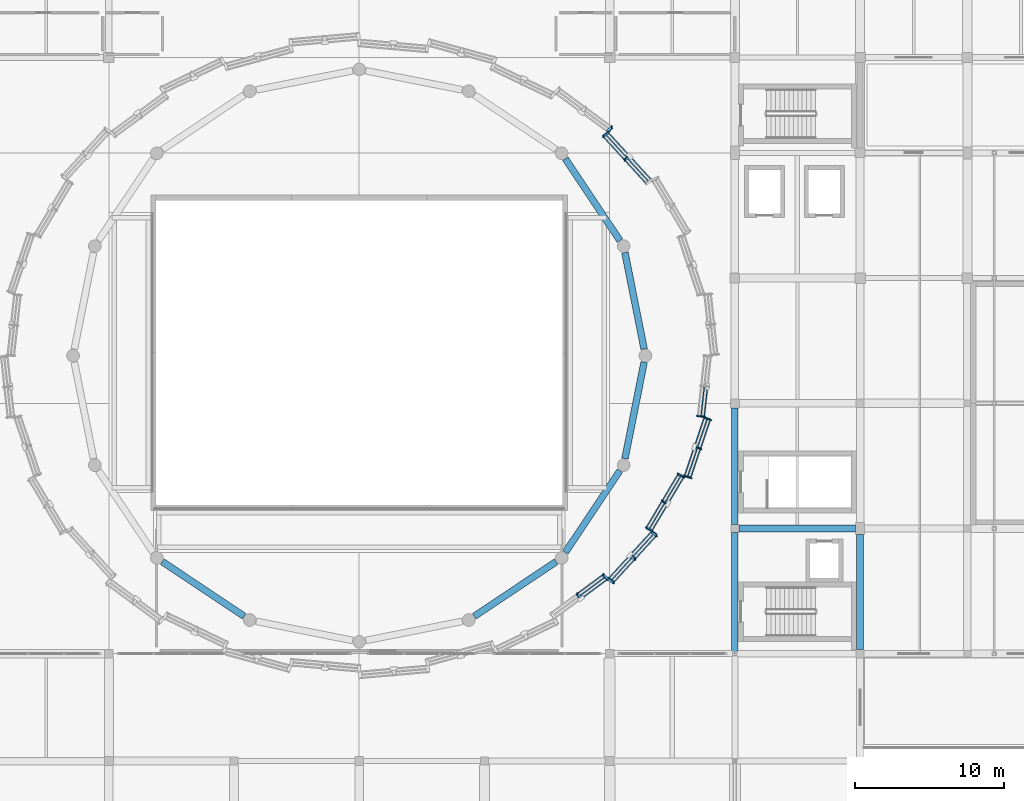
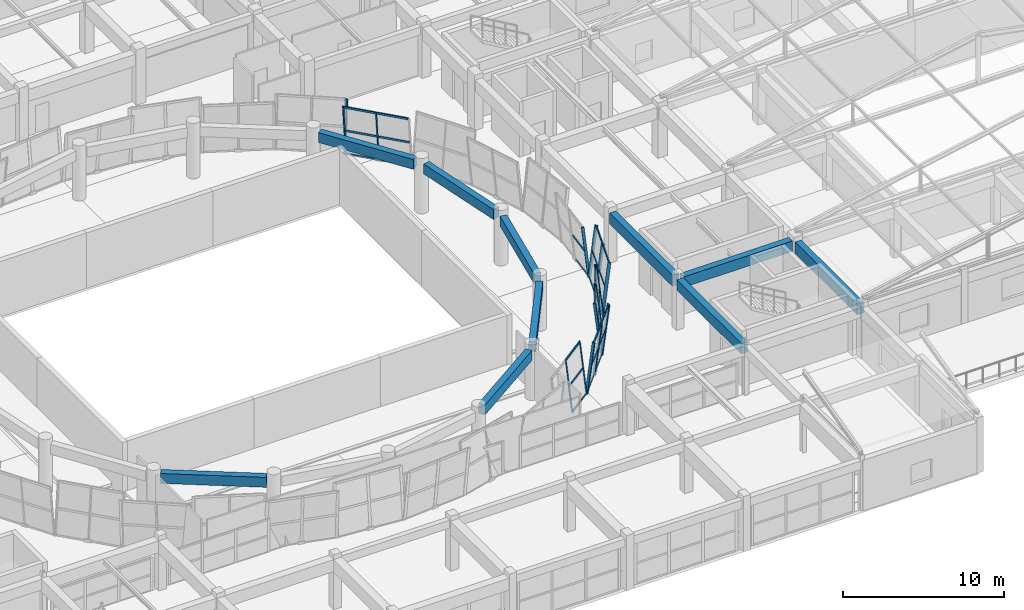
# One storey, part 28 of 74: 44 members, 10 beams, 7 elements without a shape of their own.
"""IFC4 building model written with IfcOpenShell, lengths in metres."""

from ifc_helpers import new_model, si_unit, direction, frame, origin, origin_2d, place, context, subcontext, project, spatial, rectangle, hollow_rectangle, extrude, material, material_profile, profile_set, type_object, element, aggregate, save


model = new_model("IFC4")

# Units and contexts
model_context = context("Model", 3, precision=1e-05, world=origin(), true_north=direction((0.0, 1.0)))
body_context = subcontext(model_context, "Body", "Model", "MODEL_VIEW")
ifc_project = project(units=[si_unit("LENGTHUNIT", "METRE"), si_unit("AREAUNIT", "SQUARE_METRE"), si_unit("VOLUMEUNIT", "CUBIC_METRE"), si_unit("PLANEANGLEUNIT", "RADIAN"), si_unit("MASSUNIT", "GRAM", prefix="KILO")], contexts=[model_context])

# Site, building, storey
site_placement = place(None, origin())
site = spatial("IfcSite", under=ifc_project, at=site_placement, CompositionType="ELEMENT")
building_placement = place(site_placement, origin())
building = spatial("IfcBuilding", under=site, at=building_placement, Name="Korsvaeld Concert Hall", CompositionType="ELEMENT")
storey_placement = place(building_placement, frame((0.0, 0.0, 9.0)))
storey = spatial("IfcBuildingStorey", under=building, at=storey_placement, Name="L02", CompositionType="ELEMENT", Elevation=9.0)

# Beams
ifc_material_1 = material(Name="Concrete C35/45", Category="concrete")
ifc_material_profile_1 = material_profile(ifc_material_1, rectangle(XDim=0.449951171875, YDim=0.75, at=origin_2d()), Name="RC 450x750")
ifc_profile_set_1 = profile_set([ifc_material_profile_1], Name="Concrete C35/45")
beam_type_1 = type_object("IfcBeamType", Name="BM-RC-450x750", PredefinedType="T_BEAM", material=ifc_profile_set_1)
for number, where, z_axis, x_axis, name in (
    (1, (103.1123046875, 63.641357421875, 3.465087890625), (-0.195083214432, 0.980786694163, 0.0), (-0.980786694163, -0.195083214432, 0.0), "Drum ring floor girder L02 01"),
    (2, (101.488525390625, 70.921630859375, 3.465087890625), (-0.555571711953, 0.831468624109, 0.0), (-0.831468624109, -0.555571711953, 0.0), "Drum ring floor girder L02 02"),
    (3, (70.797607421875, 49.37353515625, 3.465087890625), (0.831468624109, -0.555571711953, 0.0), (0.555571711953, 0.831468624109, 0.0), "Drum ring floor girder L02 11"),
    (4, (91.7216796875, 45.71142578125, 3.465087890625), (0.831468624109, 0.555571711953, 0.0), (-0.555571711953, 0.831468624109, 0.0), "Drum ring floor girder L02 14"),
):
    element("IfcBeam", number, at=place(storey_placement, frame(where, z_axis=z_axis, x_axis=x_axis)), inside=storey, type_object=beam_type_1, Name=name, PredefinedType="T_BEAM", context=body_context, shape_type="SweptSolid", body=[
        extrude(rectangle(XDim=0.449951171875, YDim=0.75, at=origin_2d()), origin(), (0.0, 0.0, 1.0), 6.591552734375),
    ])
for number, where, z_axis, x_axis, name in (
    (5, (97.826416015625, 49.997802734375, 3.465087890625), (0.555588821765, 0.831457191399, 0.0), (-0.831457191399, 0.555588821765, 0.0), "Drum ring floor girder L02 15"),
    (6, (101.826416015625, 56.2939453125, 3.465087890625), (0.195090301499, 0.980785284484, 0.0), (-0.980785284484, 0.195090301499, 0.0), "Drum ring floor girder L02 16"),
):
    element("IfcBeam", number, at=place(storey_placement, frame(where, z_axis=z_axis, x_axis=x_axis)), inside=storey, type_object=beam_type_1, Name=name, PredefinedType="T_BEAM", context=body_context, shape_type="SweptSolid", body=[
        extrude(rectangle(XDim=0.449951171875, YDim=0.75, at=origin_2d()), origin(), (0.0, 0.0, 1.0), 6.59130859375),
    ])
ifc_material_profile_2 = material_profile(ifc_material_1, rectangle(XDim=0.449951171875, YDim=0.800048828125, at=origin_2d()), Name="RC 450x800")
ifc_profile_set_2 = profile_set([ifc_material_profile_2], Name="Concrete C35/45")
beam_type_2 = type_object("IfcBeamType", Name="BM-RC-450x800", PredefinedType="T_BEAM", material=ifc_profile_set_2)
beam_1_placement = place(storey_placement, frame((109.47509765625, 51.60009765625, 3.43994140625), z_axis=(1.0, 0.0, 0.0), x_axis=(0.0, 1.0, 0.0)))
element("IfcBeam", 7, at=beam_1_placement, inside=storey, type_object=beam_type_2, Name="Primary girder 15-16/H L02", PredefinedType="T_BEAM", context=body_context, shape_type="SweptSolid", body=[
    extrude(rectangle(XDim=0.449951171875, YDim=0.800048828125, at=origin_2d()), origin(), (0.0, 0.0, 1.0), 7.824951171875),
])
beam_2_placement = place(storey_placement, frame((109.199951171875, 43.35009765625, 3.43994140625), z_axis=(0.0, 1.0, 0.0), x_axis=(-1.0, 0.0, 0.0)))
element("IfcBeam", 8, at=beam_2_placement, inside=storey, type_object=beam_type_2, Name="Primary girder 15/G-H L02", PredefinedType="T_BEAM", context=body_context, shape_type="SweptSolid", body=[
    extrude(rectangle(XDim=0.449951171875, YDim=0.800048828125, at=origin_2d()), origin(), (0.0, 0.0, 1.0), 7.974853515625),
])
ifc_material_2 = material(Name="Concrete C40/50", Category="concrete")
ifc_material_profile_3 = material_profile(ifc_material_2, rectangle(XDim=0.449951171875, YDim=0.85009765625, at=origin_2d()), Name="RC 450x850")
ifc_profile_set_3 = profile_set([ifc_material_profile_3], Name="Concrete C40/50")
beam_type_3 = type_object("IfcBeamType", Name="BM-RC-450x850", PredefinedType="T_BEAM", material=ifc_profile_set_3)
beam_3_placement = place(storey_placement, frame((109.199951171875, 51.875, 3.4150390625), z_axis=(0.0, 1.0, 0.0), x_axis=(-1.0, 0.0, 0.0)))
element("IfcBeam", 9, at=beam_3_placement, inside=storey, type_object=beam_type_3, Name="Primary girder 15/H-J L02", PredefinedType="T_BEAM", context=body_context, shape_type="SweptSolid", body=[
    extrude(rectangle(XDim=0.449951171875, YDim=0.85009765625, at=origin_2d()), origin(), (0.0, 0.0, 1.0), 7.824951171875),
])
beam_4_placement = place(storey_placement, frame((117.60009765625, 43.47509765625, 3.4150390625), z_axis=(0.0, 1.0, 0.0), x_axis=(-1.0, 0.0, 0.0)))
element("IfcBeam", 10, at=beam_4_placement, inside=storey, type_object=beam_type_3, Name="Primary girder 16/G-H L02", PredefinedType="T_BEAM", context=body_context, shape_type="SweptSolid", body=[
    extrude(rectangle(XDim=0.449951171875, YDim=0.85009765625, at=origin_2d()), origin(), (0.0, 0.0, 1.0), 7.724853515625),
])

# Curtain wall, members
ifc_material_3 = material(Name="Anodised bronze and ceramic-fritted safety glass", Category="glass")
curtain_wall_type_1 = type_object("IfcCurtainWallType", Name="CW-TYPE-04", PredefinedType="USERDEFINED", material=ifc_material_3)
curtain_wall_1_placement = place(storey_placement, origin())
curtain_wall_1 = element("IfcCurtainWall", 11, at=curtain_wall_1_placement, inside=storey, type_object=curtain_wall_type_1, Name="Crystal curtain-wall facet L02 F04", ObjectType="CURTAIN WALL", PredefinedType="USERDEFINED")
ifc_material_4 = material(Name="Anodised architectural bronze aluminium", Category="aluminium")
ifc_material_profile_4 = material_profile(ifc_material_4, hollow_rectangle(XDim=0.074951171875, YDim=0.179931640625, WallThickness=0.0048828125, at=origin_2d()), Name="CWM 180x75x5")
ifc_profile_set_4 = profile_set([ifc_material_profile_4], Name="Anodised architectural bronze aluminium")
member_type_1 = type_object("IfcMemberType", Name="CWM-BRONZE-180x75", PredefinedType="MULLION", material=ifc_profile_set_4)
member_1_placement = place(storey_placement, frame((102.1552734375, 76.58447265625, 0.0), z_axis=(-0.091154014917, -0.067208893029, 0.993566258617), x_axis=(-0.977517596414, 0.196530654202, -0.076387503291)))
member_1 = element("IfcMember", 12, at=member_1_placement, type_object=member_type_1, Name="CW-CRYS-L02-F04 crystal mullion 2", PredefinedType="MULLION", context=body_context, shape_type="SweptSolid", body=[
    extrude(hollow_rectangle(XDim=0.074951171875, YDim=0.179931640625, WallThickness=0.0048828125, at=origin_2d()), origin(), (0.0, 0.0, 1.0), 3.905029296875),
])
member_2_placement = place(storey_placement, frame((100.712890625, 78.1630859375, 0.0), z_axis=(-0.091092013968, -0.06720927592, 0.993571918998), x_axis=(-0.977585029152, 0.196207994795, -0.076354001577)))
member_2 = element("IfcMember", 13, at=member_2_placement, type_object=member_type_1, Name="CW-CRYS-L02-F04 crystal mullion 3", PredefinedType="MULLION", context=body_context, shape_type="SweptSolid", body=[
    extrude(hollow_rectangle(XDim=0.074951171875, YDim=0.179931640625, WallThickness=0.0048828125, at=origin_2d()), origin(), (0.0, 0.0, 1.0), 3.905029296875),
])

curtain_wall_2_placement = place(storey_placement, origin())
curtain_wall_2 = element("IfcCurtainWall", 14, at=curtain_wall_2_placement, inside=storey, type_object=curtain_wall_type_1, Name="Crystal curtain-wall facet L02 F28", ObjectType="CURTAIN WALL", PredefinedType="USERDEFINED")
member_3_placement = place(storey_placement, frame((98.899658203125, 46.89111328125, 0.0), z_axis=(-0.076399398433, 0.083589194521, 0.993567299421), x_axis=(0.977549491387, -0.189970185789, 0.091149988477)))
member_3 = element("IfcMember", 15, at=member_3_placement, type_object=member_type_1, Name="CW-CRYS-L02-F28 crystal mullion 2", PredefinedType="MULLION", context=body_context, shape_type="SweptSolid", body=[
    extrude(hollow_rectangle(XDim=0.074951171875, YDim=0.179931640625, WallThickness=0.0048828125, at=origin_2d()), origin(), (0.0, 0.0, 1.0), 3.905029296875),
])
member_4_placement = place(storey_placement, frame((100.657470703125, 48.18701171875, 0.0), z_axis=(-0.076337242942, 0.083589593623, 0.993572043275), x_axis=(0.97747454033, -0.190371504957, 0.091116480989)))
member_4 = element("IfcMember", 16, at=member_4_placement, type_object=member_type_1, Name="CW-CRYS-L02-F28 crystal mullion 3", PredefinedType="MULLION", context=body_context, shape_type="SweptSolid", body=[
    extrude(hollow_rectangle(XDim=0.074951171875, YDim=0.179931640625, WallThickness=0.0048828125, at=origin_2d()), origin(), (0.0, 0.0, 1.0), 3.905029296875),
])

curtain_wall_type_2 = type_object("IfcCurtainWallType", Name="CW-TYPE-06", PredefinedType="USERDEFINED", material=ifc_material_3)
curtain_wall_3_placement = place(storey_placement, origin())
curtain_wall_3 = element("IfcCurtainWall", 17, at=curtain_wall_3_placement, inside=storey, type_object=curtain_wall_type_2, Name="Crystal curtain-wall facet L02 F30", ObjectType="CURTAIN WALL", PredefinedType="USERDEFINED")
member_5_placement = place(storey_placement, frame((103.641845703125, 51.4541015625, 0.0), z_axis=(-0.102033137454, 0.049015918973, 0.993572684079), x_axis=(0.830085566012, 0.554623769939, 0.057882872395)))
member_5 = element("IfcMember", 18, at=member_5_placement, type_object=member_type_1, Name="CW-CRYS-L02-F30 crystal mullion 1", PredefinedType="MULLION", context=body_context, shape_type="SweptSolid", body=[
    extrude(hollow_rectangle(XDim=0.074951171875, YDim=0.179931640625, WallThickness=0.0048828125, at=origin_2d()), origin(), (0.0, 0.0, 1.0), 3.905029296875),
])
member_6_placement = place(storey_placement, frame((104.713134765625, 53.25439453125, 0.0), z_axis=(-0.102033137454, 0.049015918973, 0.993572684079), x_axis=(0.830085566012, 0.554623769939, 0.057882872395)))
member_6 = element("IfcMember", 19, at=member_6_placement, type_object=member_type_1, Name="CW-CRYS-L02-F30 crystal mullion 2", PredefinedType="MULLION", context=body_context, shape_type="SweptSolid", body=[
    extrude(hollow_rectangle(XDim=0.074951171875, YDim=0.179931640625, WallThickness=0.0048828125, at=origin_2d()), origin(), (0.0, 0.0, 1.0), 3.905029296875),
])
member_7_placement = place(storey_placement, frame((105.784423828125, 55.054931640625, 0.0), z_axis=(-0.102033137454, 0.049015918973, 0.993572684079), x_axis=(0.830085566012, 0.554623769939, 0.057882872395)))
member_7 = element("IfcMember", 20, at=member_7_placement, type_object=member_type_1, Name="CW-CRYS-L02-F30 crystal mullion 3", PredefinedType="MULLION", context=body_context, shape_type="SweptSolid", body=[
    extrude(hollow_rectangle(XDim=0.074951171875, YDim=0.179931640625, WallThickness=0.0048828125, at=origin_2d()), origin(), (0.0, 0.0, 1.0), 3.905029296875),
])

# Curtain wall, member
curtain_wall_type_3 = type_object("IfcCurtainWallType", Name="CW-TYPE-08", PredefinedType="USERDEFINED", material=ifc_material_3)
curtain_wall_4_placement = place(storey_placement, origin())
curtain_wall_4 = element("IfcCurtainWall", 21, at=curtain_wall_4_placement, inside=storey, type_object=curtain_wall_type_3, Name="Crystal curtain-wall facet L02 F32", ObjectType="CURTAIN WALL", PredefinedType="USERDEFINED")
member_8_placement = place(storey_placement, frame((107.150634765625, 59.101318359375, 0.0), z_axis=(-0.112786203132, 0.010003210921, 0.993568924712), x_axis=(0.195690629409, 0.980588019436, 0.012341543691)))
member_8 = element("IfcMember", 22, at=member_8_placement, type_object=member_type_1, Name="CW-CRYS-L02-F32 crystal mullion 1", PredefinedType="MULLION", context=body_context, shape_type="SweptSolid", body=[
    extrude(hollow_rectangle(XDim=0.074951171875, YDim=0.179931640625, WallThickness=0.0048828125, at=origin_2d()), origin(), (0.0, 0.0, 1.0), 3.905029296875),
])

curtain_wall_type_4 = type_object("IfcCurtainWallType", Name="CW-TYPE-05", PredefinedType="USERDEFINED", material=ifc_material_3)
curtain_wall_5_placement = place(storey_placement, origin())
curtain_wall_5 = element("IfcCurtainWall", 23, at=curtain_wall_5_placement, inside=storey, type_object=curtain_wall_type_4, Name="Crystal curtain-wall facet L02 F05", ObjectType="CURTAIN WALL", PredefinedType="USERDEFINED")
ifc_material_profile_5 = material_profile(ifc_material_4, hollow_rectangle(XDim=0.074951171875, YDim=0.219970703125, WallThickness=0.006103515625, at=origin_2d()), Name="CWM 220x75x6")
ifc_profile_set_5 = profile_set([ifc_material_profile_5], Name="Anodised architectural bronze aluminium")
member_type_2 = type_object("IfcMemberType", Name="CWM-BRONZE-220x75", PredefinedType="MULLION", material=ifc_profile_set_5)
member_9_placement = place(storey_placement, frame((100.657470703125, 78.212890625, 0.0), z_axis=(0.076399398433, 0.083589194521, 0.993567299421), x_axis=(0.977549491387, 0.189970185789, -0.091149988477)))
member_9 = element("IfcMember", 24, at=member_9_placement, type_object=member_type_2, Name="CW-CRYS-L02-F05 crystal mullion 1", PredefinedType="MULLION", context=body_context, shape_type="SweptSolid", body=[
    extrude(hollow_rectangle(XDim=0.074951171875, YDim=0.219970703125, WallThickness=0.006103515625, at=origin_2d()), origin(), (0.0, 0.0, 1.0), 3.905029296875),
])
aggregate(curtain_wall_5, [member_9])

# Curtain wall, members
curtain_wall_6_placement = place(storey_placement, origin())
curtain_wall_6 = element("IfcCurtainWall", 25, at=curtain_wall_6_placement, inside=storey, type_object=curtain_wall_type_4, Name="Crystal curtain-wall facet L02 F29", ObjectType="CURTAIN WALL", PredefinedType="USERDEFINED")
member_10_placement = place(storey_placement, frame((100.712890625, 48.237060546875, 0.0), z_axis=(0.091154014917, -0.067208893029, 0.993566258617), x_axis=(-0.977517596414, -0.196530654202, 0.076387503291)))
member_10 = element("IfcMember", 26, at=member_10_placement, type_object=member_type_2, Name="CW-CRYS-L02-F29 crystal mullion 1", PredefinedType="MULLION", context=body_context, shape_type="SweptSolid", body=[
    extrude(hollow_rectangle(XDim=0.074951171875, YDim=0.219970703125, WallThickness=0.006103515625, at=origin_2d()), origin(), (0.0, 0.0, 1.0), 3.905029296875),
])
member_11_placement = place(storey_placement, frame((102.1552734375, 49.815673828125, 0.0), z_axis=(0.091092013968, -0.06720927592, 0.993571918998), x_axis=(-0.977585029152, -0.196207994795, 0.076354001577)))
member_11 = element("IfcMember", 27, at=member_11_placement, type_object=member_type_2, Name="CW-CRYS-L02-F29 crystal mullion 2", PredefinedType="MULLION", context=body_context, shape_type="SweptSolid", body=[
    extrude(hollow_rectangle(XDim=0.074951171875, YDim=0.219970703125, WallThickness=0.006103515625, at=origin_2d()), origin(), (0.0, 0.0, 1.0), 3.905029296875),
])
member_12_placement = place(storey_placement, frame((103.597412109375, 51.394287109375, 0.0), z_axis=(0.091092013968, -0.06720927592, 0.993571918998), x_axis=(-0.977585029152, -0.196207994795, 0.076354001577)))
member_12 = element("IfcMember", 28, at=member_12_placement, type_object=member_type_2, Name="CW-CRYS-L02-F29 crystal mullion 3", PredefinedType="MULLION", context=body_context, shape_type="SweptSolid", body=[
    extrude(hollow_rectangle(XDim=0.074951171875, YDim=0.219970703125, WallThickness=0.006103515625, at=origin_2d()), origin(), (0.0, 0.0, 1.0), 3.905029296875),
])

curtain_wall_type_5 = type_object("IfcCurtainWallType", Name="CW-TYPE-07", PredefinedType="USERDEFINED", material=ifc_material_3)
curtain_wall_7_placement = place(storey_placement, origin())
curtain_wall_7 = element("IfcCurtainWall", 29, at=curtain_wall_7_placement, inside=storey, type_object=curtain_wall_type_5, Name="Crystal curtain-wall facet L02 F31", ObjectType="CURTAIN WALL", PredefinedType="USERDEFINED")
member_13_placement = place(storey_placement, frame((105.815673828125, 55.12255859375, 0.0), z_axis=(0.109222864708, -0.029759635719, 0.993571703455), x_axis=(-0.555751470455, -0.830559253027, 0.036216436851)))
member_13 = element("IfcMember", 30, at=member_13_placement, type_object=member_type_2, Name="CW-CRYS-L02-F31 crystal mullion 1", PredefinedType="MULLION", context=body_context, shape_type="SweptSolid", body=[
    extrude(hollow_rectangle(XDim=0.074951171875, YDim=0.219970703125, WallThickness=0.006103515625, at=origin_2d()), origin(), (0.0, 0.0, 1.0), 3.905029296875),
])
member_14_placement = place(storey_placement, frame((106.47509765625, 57.07568359375, 0.0), z_axis=(0.109222864708, -0.029759635719, 0.993571703455), x_axis=(-0.555751470455, -0.830559253027, 0.036216436851)))
member_14 = element("IfcMember", 31, at=member_14_placement, type_object=member_type_2, Name="CW-CRYS-L02-F31 crystal mullion 2", PredefinedType="MULLION", context=body_context, shape_type="SweptSolid", body=[
    extrude(hollow_rectangle(XDim=0.074951171875, YDim=0.219970703125, WallThickness=0.006103515625, at=origin_2d()), origin(), (0.0, 0.0, 1.0), 3.905029296875),
])
member_15_placement = place(storey_placement, frame((107.134521484375, 59.028564453125, 0.0), z_axis=(0.109222864708, -0.029759635719, 0.993571703455), x_axis=(-0.555751470455, -0.830559253027, 0.036216436851)))
member_15 = element("IfcMember", 32, at=member_15_placement, type_object=member_type_2, Name="CW-CRYS-L02-F31 crystal mullion 3", PredefinedType="MULLION", context=body_context, shape_type="SweptSolid", body=[
    extrude(hollow_rectangle(XDim=0.074951171875, YDim=0.219970703125, WallThickness=0.006103515625, at=origin_2d()), origin(), (0.0, 0.0, 1.0), 3.905029296875),
])

# Member
ifc_material_profile_6 = material_profile(ifc_material_4, hollow_rectangle(XDim=0.074951171875, YDim=0.14990234375, WallThickness=0.0048828125, at=origin_2d()), Name="CWT 150x75x5")
ifc_profile_set_6 = profile_set([ifc_material_profile_6], Name="Anodised architectural bronze aluminium")
member_type_3 = type_object("IfcMemberType", Name="CWT-BRONZE-150x75", PredefinedType="USERDEFINED", material=ifc_profile_set_6)
member_16_placement = place(storey_placement, frame((103.5693359375, 75.031494140625, 0.030029296875), z_axis=(-0.674496604142, 0.738277949692, 0.0), x_axis=(-0.738277949692, -0.674496604142, 0.0)))
member_16 = element("IfcMember", 33, at=member_16_placement, type_object=member_type_3, Name="CW-CRYS-L02-F04 crystal transom 1.1", ObjectType="TRANSOM", PredefinedType="USERDEFINED", context=body_context, shape_type="SweptSolid", body=[
    extrude(hollow_rectangle(XDim=0.074951171875, YDim=0.14990234375, WallThickness=0.0048828125, at=origin_2d()), origin(), (0.0, 0.0, 1.0), 2.063232421875),
])

member_17_placement = place(storey_placement, frame((103.394287109375, 74.90234375, 1.93994140625), z_axis=(-0.674496604142, 0.738277949692, 0.0), x_axis=(-0.738277949692, -0.674496604142, 0.0)))
member_17 = element("IfcMember", 34, at=member_17_placement, type_object=member_type_3, Name="CW-CRYS-L02-F04 crystal transom 1.2", ObjectType="TRANSOM", PredefinedType="USERDEFINED", context=body_context, shape_type="SweptSolid", body=[
    extrude(hollow_rectangle(XDim=0.074951171875, YDim=0.14990234375, WallThickness=0.0048828125, at=origin_2d()), origin(), (0.0, 0.0, 1.0), 2.063232421875),
])

member_18_placement = place(storey_placement, frame((103.218994140625, 74.773193359375, 3.85009765625), z_axis=(-0.674496604142, 0.738277949692, 0.0), x_axis=(-0.738277949692, -0.674496604142, 0.0)))
member_18 = element("IfcMember", 35, at=member_18_placement, type_object=member_type_3, Name="CW-CRYS-L02-F04 crystal transom 1.3", ObjectType="TRANSOM", PredefinedType="USERDEFINED", context=body_context, shape_type="SweptSolid", body=[
    extrude(hollow_rectangle(XDim=0.074951171875, YDim=0.14990234375, WallThickness=0.0048828125, at=origin_2d()), origin(), (0.0, 0.0, 1.0), 2.063232421875),
])

member_19_placement = place(storey_placement, frame((102.127197265625, 76.610107421875, 0.030029296875), z_axis=(-0.674496604142, 0.738277949692, 0.0), x_axis=(-0.738277949692, -0.674496604142, 0.0)))
member_19 = element("IfcMember", 36, at=member_19_placement, type_object=member_type_3, Name="CW-CRYS-L02-F04 crystal transom 2.1", ObjectType="TRANSOM", PredefinedType="USERDEFINED", context=body_context, shape_type="SweptSolid", body=[
    extrude(hollow_rectangle(XDim=0.074951171875, YDim=0.14990234375, WallThickness=0.0048828125, at=origin_2d()), origin(), (0.0, 0.0, 1.0), 2.063232421875),
])

member_20_placement = place(storey_placement, frame((101.951904296875, 76.48095703125, 1.93994140625), z_axis=(-0.674496604142, 0.738277949692, 0.0), x_axis=(-0.738277949692, -0.674496604142, 0.0)))
member_20 = element("IfcMember", 37, at=member_20_placement, type_object=member_type_3, Name="CW-CRYS-L02-F04 crystal transom 2.2", ObjectType="TRANSOM", PredefinedType="USERDEFINED", context=body_context, shape_type="SweptSolid", body=[
    extrude(hollow_rectangle(XDim=0.074951171875, YDim=0.14990234375, WallThickness=0.0048828125, at=origin_2d()), origin(), (0.0, 0.0, 1.0), 2.063232421875),
])

member_21_placement = place(storey_placement, frame((101.77685546875, 76.351806640625, 3.85009765625), z_axis=(-0.674496604142, 0.738277949692, 0.0), x_axis=(-0.738277949692, -0.674496604142, 0.0)))
member_21 = element("IfcMember", 38, at=member_21_placement, type_object=member_type_3, Name="CW-CRYS-L02-F04 crystal transom 2.3", ObjectType="TRANSOM", PredefinedType="USERDEFINED", context=body_context, shape_type="SweptSolid", body=[
    extrude(hollow_rectangle(XDim=0.074951171875, YDim=0.14990234375, WallThickness=0.0048828125, at=origin_2d()), origin(), (0.0, 0.0, 1.0), 2.063232421875),
])

aggregate(curtain_wall_1, [member_1, member_2, member_16, member_17, member_18, member_19, member_20, member_21])

member_22_placement = place(storey_placement, frame((98.927490234375, 46.915771484375, 0.030029296875), z_axis=(0.804904507896, 0.593404358906, 0.0), x_axis=(-0.593404358906, 0.804904507896, 0.0)))
member_22 = element("IfcMember", 39, at=member_22_placement, type_object=member_type_3, Name="CW-CRYS-L02-F28 crystal transom 2.1", ObjectType="TRANSOM", PredefinedType="USERDEFINED", context=body_context, shape_type="SweptSolid", body=[
    extrude(hollow_rectangle(XDim=0.074951171875, YDim=0.14990234375, WallThickness=0.0048828125, at=origin_2d()), origin(), (0.0, 0.0, 1.0), 2.10888671875),
])

member_23_placement = place(storey_placement, frame((98.78076171875, 47.076416015625, 1.93994140625), z_axis=(0.804904507896, 0.593404358906, 0.0), x_axis=(-0.593404358906, 0.804904507896, 0.0)))
member_23 = element("IfcMember", 40, at=member_23_placement, type_object=member_type_3, Name="CW-CRYS-L02-F28 crystal transom 2.2", ObjectType="TRANSOM", PredefinedType="USERDEFINED", context=body_context, shape_type="SweptSolid", body=[
    extrude(hollow_rectangle(XDim=0.074951171875, YDim=0.14990234375, WallThickness=0.0048828125, at=origin_2d()), origin(), (0.0, 0.0, 1.0), 2.10888671875),
])

member_24_placement = place(storey_placement, frame((98.634033203125, 47.237060546875, 3.85009765625), z_axis=(0.804849215574, 0.593479351107, 0.0), x_axis=(-0.593479351107, 0.804849215574, 0.0)))
member_24 = element("IfcMember", 41, at=member_24_placement, type_object=member_type_3, Name="CW-CRYS-L02-F28 crystal transom 2.3", ObjectType="TRANSOM", PredefinedType="USERDEFINED", context=body_context, shape_type="SweptSolid", body=[
    extrude(hollow_rectangle(XDim=0.074951171875, YDim=0.14990234375, WallThickness=0.0048828125, at=origin_2d()), origin(), (0.0, 0.0, 1.0), 2.109130859375),
])

aggregate(curtain_wall_2, [member_3, member_4, member_22, member_23, member_24])

member_25_placement = place(storey_placement, frame((100.740966796875, 48.2626953125, 0.030029296875), z_axis=(0.674496604142, 0.738277949692, 0.0), x_axis=(-0.738277949692, 0.674496604142, 0.0)))
member_25 = element("IfcMember", 42, at=member_25_placement, type_object=member_type_3, Name="CW-CRYS-L02-F29 crystal transom 1.1", ObjectType="TRANSOM", PredefinedType="USERDEFINED", context=body_context, shape_type="SweptSolid", body=[
    extrude(hollow_rectangle(XDim=0.074951171875, YDim=0.14990234375, WallThickness=0.0048828125, at=origin_2d()), origin(), (0.0, 0.0, 1.0), 2.063232421875),
])

member_26_placement = place(storey_placement, frame((100.916259765625, 48.133544921875, 1.93994140625), z_axis=(0.674496604142, 0.738277949692, 0.0), x_axis=(-0.738277949692, 0.674496604142, 0.0)))
member_26 = element("IfcMember", 43, at=member_26_placement, type_object=member_type_3, Name="CW-CRYS-L02-F29 crystal transom 1.2", ObjectType="TRANSOM", PredefinedType="USERDEFINED", context=body_context, shape_type="SweptSolid", body=[
    extrude(hollow_rectangle(XDim=0.074951171875, YDim=0.14990234375, WallThickness=0.0048828125, at=origin_2d()), origin(), (0.0, 0.0, 1.0), 2.063232421875),
])

member_27_placement = place(storey_placement, frame((101.09130859375, 48.00439453125, 3.85009765625), z_axis=(0.674496604142, 0.738277949692, 0.0), x_axis=(-0.738277949692, 0.674496604142, 0.0)))
member_27 = element("IfcMember", 44, at=member_27_placement, type_object=member_type_3, Name="CW-CRYS-L02-F29 crystal transom 1.3", ObjectType="TRANSOM", PredefinedType="USERDEFINED", context=body_context, shape_type="SweptSolid", body=[
    extrude(hollow_rectangle(XDim=0.074951171875, YDim=0.14990234375, WallThickness=0.0048828125, at=origin_2d()), origin(), (0.0, 0.0, 1.0), 2.063232421875),
])

member_28_placement = place(storey_placement, frame((102.183349609375, 49.84130859375, 0.030029296875), z_axis=(0.674496604142, 0.738277949692, 0.0), x_axis=(-0.738277949692, 0.674496604142, 0.0)))
member_28 = element("IfcMember", 45, at=member_28_placement, type_object=member_type_3, Name="CW-CRYS-L02-F29 crystal transom 2.1", ObjectType="TRANSOM", PredefinedType="USERDEFINED", context=body_context, shape_type="SweptSolid", body=[
    extrude(hollow_rectangle(XDim=0.074951171875, YDim=0.14990234375, WallThickness=0.0048828125, at=origin_2d()), origin(), (0.0, 0.0, 1.0), 2.063232421875),
])

member_29_placement = place(storey_placement, frame((102.3583984375, 49.712158203125, 1.93994140625), z_axis=(0.674496604142, 0.738277949692, 0.0), x_axis=(-0.738277949692, 0.674496604142, 0.0)))
member_29 = element("IfcMember", 46, at=member_29_placement, type_object=member_type_3, Name="CW-CRYS-L02-F29 crystal transom 2.2", ObjectType="TRANSOM", PredefinedType="USERDEFINED", context=body_context, shape_type="SweptSolid", body=[
    extrude(hollow_rectangle(XDim=0.074951171875, YDim=0.14990234375, WallThickness=0.0048828125, at=origin_2d()), origin(), (0.0, 0.0, 1.0), 2.063232421875),
])

member_30_placement = place(storey_placement, frame((102.53369140625, 49.5830078125, 3.85009765625), z_axis=(0.674496604142, 0.738277949692, 0.0), x_axis=(-0.738277949692, 0.674496604142, 0.0)))
member_30 = element("IfcMember", 47, at=member_30_placement, type_object=member_type_3, Name="CW-CRYS-L02-F29 crystal transom 2.3", ObjectType="TRANSOM", PredefinedType="USERDEFINED", context=body_context, shape_type="SweptSolid", body=[
    extrude(hollow_rectangle(XDim=0.074951171875, YDim=0.14990234375, WallThickness=0.0048828125, at=origin_2d()), origin(), (0.0, 0.0, 1.0), 2.063232421875),
])

aggregate(curtain_wall_6, [member_10, member_11, member_12, member_25, member_26, member_27, member_28, member_29, member_30])

member_31_placement = place(storey_placement, frame((103.657958984375, 51.48779296875, 0.030029296875), z_axis=(0.511381861684, 0.859353589357, 0.0), x_axis=(-0.859353589357, 0.511381861684, 0.0)))
member_31 = element("IfcMember", 48, at=member_31_placement, type_object=member_type_3, Name="CW-CRYS-L02-F30 crystal transom 1.1", ObjectType="TRANSOM", PredefinedType="USERDEFINED", context=body_context, shape_type="SweptSolid", body=[
    extrude(hollow_rectangle(XDim=0.074951171875, YDim=0.14990234375, WallThickness=0.0048828125, at=origin_2d()), origin(), (0.0, 0.0, 1.0), 2.02001953125),
])

member_32_placement = place(storey_placement, frame((103.4619140625, 51.58203125, 1.93994140625), z_axis=(0.511292595627, 0.859406703288, 0.0), x_axis=(-0.859406703288, 0.511292595627, 0.0)))
member_32 = element("IfcMember", 49, at=member_32_placement, type_object=member_type_3, Name="CW-CRYS-L02-F30 crystal transom 1.2", ObjectType="TRANSOM", PredefinedType="USERDEFINED", context=body_context, shape_type="SweptSolid", body=[
    extrude(hollow_rectangle(XDim=0.074951171875, YDim=0.14990234375, WallThickness=0.0048828125, at=origin_2d()), origin(), (0.0, 0.0, 1.0), 2.019775390625),
])

member_33_placement = place(storey_placement, frame((103.265625, 51.67626953125, 3.85009765625), z_axis=(0.511381861684, 0.859353589357, 0.0), x_axis=(-0.859353589357, 0.511381861684, 0.0)))
member_33 = element("IfcMember", 50, at=member_33_placement, type_object=member_type_3, Name="CW-CRYS-L02-F30 crystal transom 1.3", ObjectType="TRANSOM", PredefinedType="USERDEFINED", context=body_context, shape_type="SweptSolid", body=[
    extrude(hollow_rectangle(XDim=0.074951171875, YDim=0.14990234375, WallThickness=0.0048828125, at=origin_2d()), origin(), (0.0, 0.0, 1.0), 2.02001953125),
])

member_34_placement = place(storey_placement, frame((104.729248046875, 53.288330078125, 0.030029296875), z_axis=(0.511381861684, 0.859353589357, 0.0), x_axis=(-0.859353589357, 0.511381861684, 0.0)))
member_34 = element("IfcMember", 51, at=member_34_placement, type_object=member_type_3, Name="CW-CRYS-L02-F30 crystal transom 2.1", ObjectType="TRANSOM", PredefinedType="USERDEFINED", context=body_context, shape_type="SweptSolid", body=[
    extrude(hollow_rectangle(XDim=0.074951171875, YDim=0.14990234375, WallThickness=0.0048828125, at=origin_2d()), origin(), (0.0, 0.0, 1.0), 2.02001953125),
])

member_35_placement = place(storey_placement, frame((104.532958984375, 53.38232421875, 1.93994140625), z_axis=(0.511328750939, 0.859385192136, 0.0), x_axis=(-0.859385192136, 0.511328750939, 0.0)))
member_35 = element("IfcMember", 52, at=member_35_placement, type_object=member_type_3, Name="CW-CRYS-L02-F30 crystal transom 2.2", ObjectType="TRANSOM", PredefinedType="USERDEFINED", context=body_context, shape_type="SweptSolid", body=[
    extrude(hollow_rectangle(XDim=0.074951171875, YDim=0.14990234375, WallThickness=0.0048828125, at=origin_2d()), origin(), (0.0, 0.0, 1.0), 2.020263671875),
])

member_36_placement = place(storey_placement, frame((104.3369140625, 53.4765625, 3.85009765625), z_axis=(0.511381861684, 0.859353589357, 0.0), x_axis=(-0.859353589357, 0.511381861684, 0.0)))
member_36 = element("IfcMember", 53, at=member_36_placement, type_object=member_type_3, Name="CW-CRYS-L02-F30 crystal transom 2.3", ObjectType="TRANSOM", PredefinedType="USERDEFINED", context=body_context, shape_type="SweptSolid", body=[
    extrude(hollow_rectangle(XDim=0.074951171875, YDim=0.14990234375, WallThickness=0.0048828125, at=origin_2d()), origin(), (0.0, 0.0, 1.0), 2.02001953125),
])

aggregate(curtain_wall_3, [member_5, member_6, member_7, member_31, member_32, member_33, member_34, member_35, member_36])

member_37_placement = place(storey_placement, frame((105.830810546875, 55.1572265625, 0.030029296875), z_axis=(0.319949676143, 0.947434538497, 0.0), x_axis=(-0.947434538497, 0.319949676143, 0.0)))
member_37 = element("IfcMember", 54, at=member_37_placement, type_object=member_type_3, Name="CW-CRYS-L02-F31 crystal transom 1.1", ObjectType="TRANSOM", PredefinedType="USERDEFINED", context=body_context, shape_type="SweptSolid", body=[
    extrude(hollow_rectangle(XDim=0.074951171875, YDim=0.14990234375, WallThickness=0.0048828125, at=origin_2d()), origin(), (0.0, 0.0, 1.0), 1.986328125),
])

member_38_placement = place(storey_placement, frame((106.040771484375, 55.10009765625, 1.93994140625), z_axis=(0.319949676143, 0.947434538497, 0.0), x_axis=(-0.947434538497, 0.319949676143, 0.0)))
member_38 = element("IfcMember", 55, at=member_38_placement, type_object=member_type_3, Name="CW-CRYS-L02-F31 crystal transom 1.2", ObjectType="TRANSOM", PredefinedType="USERDEFINED", context=body_context, shape_type="SweptSolid", body=[
    extrude(hollow_rectangle(XDim=0.074951171875, YDim=0.14990234375, WallThickness=0.0048828125, at=origin_2d()), origin(), (0.0, 0.0, 1.0), 1.986328125),
])

member_39_placement = place(storey_placement, frame((106.250732421875, 55.042724609375, 3.85009765625), z_axis=(0.319912420616, 0.947447118912, 0.0), x_axis=(-0.947447118912, 0.319912420616, 0.0)))
member_39 = element("IfcMember", 56, at=member_39_placement, type_object=member_type_3, Name="CW-CRYS-L02-F31 crystal transom 1.3", ObjectType="TRANSOM", PredefinedType="USERDEFINED", context=body_context, shape_type="SweptSolid", body=[
    extrude(hollow_rectangle(XDim=0.074951171875, YDim=0.14990234375, WallThickness=0.0048828125, at=origin_2d()), origin(), (0.0, 0.0, 1.0), 1.986572265625),
])

member_40_placement = place(storey_placement, frame((106.490234375, 57.1103515625, 0.030029296875), z_axis=(0.319949676143, 0.947434538497, 0.0), x_axis=(-0.947434538497, 0.319949676143, 0.0)))
member_40 = element("IfcMember", 57, at=member_40_placement, type_object=member_type_3, Name="CW-CRYS-L02-F31 crystal transom 2.1", ObjectType="TRANSOM", PredefinedType="USERDEFINED", context=body_context, shape_type="SweptSolid", body=[
    extrude(hollow_rectangle(XDim=0.074951171875, YDim=0.14990234375, WallThickness=0.0048828125, at=origin_2d()), origin(), (0.0, 0.0, 1.0), 1.986328125),
])

member_41_placement = place(storey_placement, frame((106.7001953125, 57.052978515625, 1.93994140625), z_axis=(0.319949676143, 0.947434538497, 0.0), x_axis=(-0.947434538497, 0.319949676143, 0.0)))
member_41 = element("IfcMember", 58, at=member_41_placement, type_object=member_type_3, Name="CW-CRYS-L02-F31 crystal transom 2.2", ObjectType="TRANSOM", PredefinedType="USERDEFINED", context=body_context, shape_type="SweptSolid", body=[
    extrude(hollow_rectangle(XDim=0.074951171875, YDim=0.14990234375, WallThickness=0.0048828125, at=origin_2d()), origin(), (0.0, 0.0, 1.0), 1.986328125),
])

member_42_placement = place(storey_placement, frame((106.91015625, 56.995849609375, 3.85009765625), z_axis=(0.319949676143, 0.947434538497, 0.0), x_axis=(-0.947434538497, 0.319949676143, 0.0)))
member_42 = element("IfcMember", 59, at=member_42_placement, type_object=member_type_3, Name="CW-CRYS-L02-F31 crystal transom 2.3", ObjectType="TRANSOM", PredefinedType="USERDEFINED", context=body_context, shape_type="SweptSolid", body=[
    extrude(hollow_rectangle(XDim=0.074951171875, YDim=0.14990234375, WallThickness=0.0048828125, at=origin_2d()), origin(), (0.0, 0.0, 1.0), 1.986328125),
])

aggregate(curtain_wall_7, [member_13, member_14, member_15, member_37, member_38, member_39, member_40, member_41, member_42])

member_43_placement = place(storey_placement, frame((107.1513671875, 59.138916015625, 0.030029296875), z_axis=(0.108933482058, 0.994049041289, 0.0), x_axis=(-0.994049041289, 0.108933482058, 0.0)))
member_43 = element("IfcMember", 60, at=member_43_placement, type_object=member_type_3, Name="CW-CRYS-L02-F32 crystal transom 1.1", ObjectType="TRANSOM", PredefinedType="USERDEFINED", context=body_context, shape_type="SweptSolid", body=[
    extrude(hollow_rectangle(XDim=0.074951171875, YDim=0.14990234375, WallThickness=0.0048828125, at=origin_2d()), origin(), (0.0, 0.0, 1.0), 1.9677734375),
])

member_44_placement = place(storey_placement, frame((106.9345703125, 59.158203125, 1.93994140625), z_axis=(0.108933482058, 0.994049041289, 0.0), x_axis=(-0.994049041289, 0.108933482058, 0.0)))
member_44 = element("IfcMember", 61, at=member_44_placement, type_object=member_type_3, Name="CW-CRYS-L02-F32 crystal transom 1.2", ObjectType="TRANSOM", PredefinedType="USERDEFINED", context=body_context, shape_type="SweptSolid", body=[
    extrude(hollow_rectangle(XDim=0.074951171875, YDim=0.14990234375, WallThickness=0.0048828125, at=origin_2d()), origin(), (0.0, 0.0, 1.0), 1.9677734375),
])

aggregate(curtain_wall_4, [member_8, member_43, member_44])

save(model, "model.ifc")
